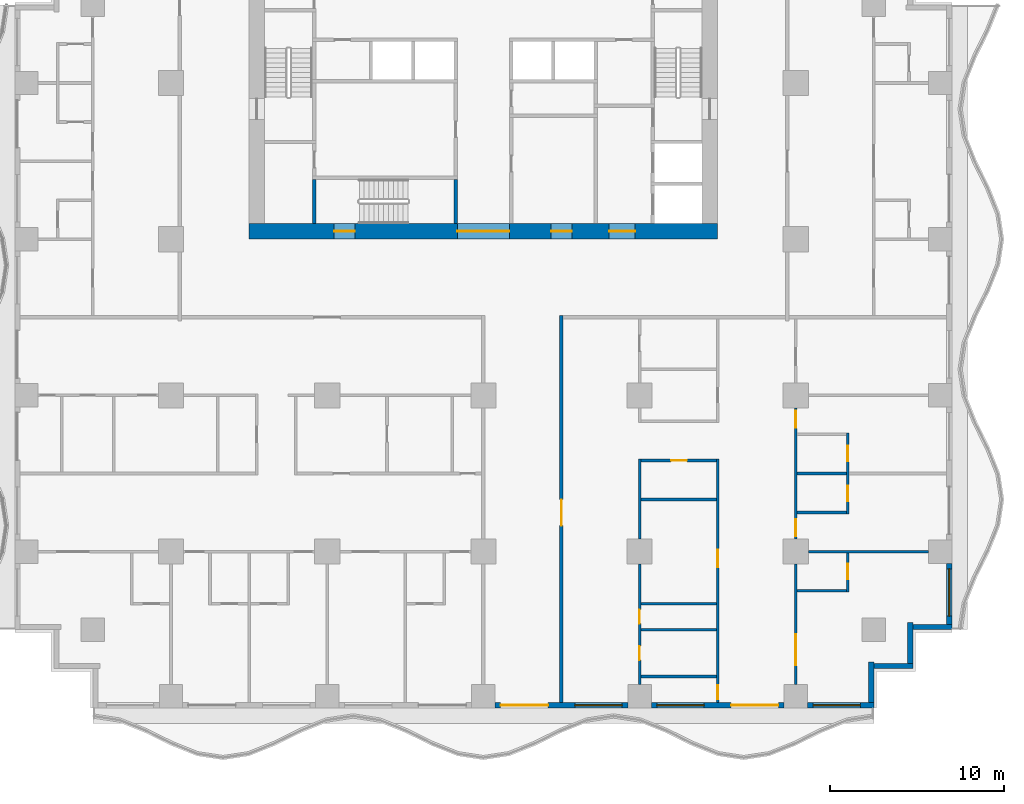
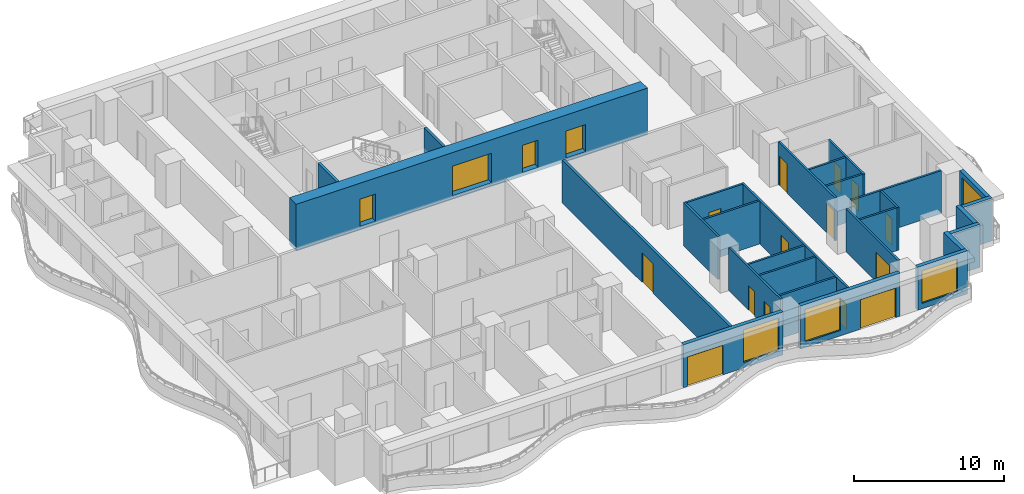
# One storey, part 3 of 13: 28 walls, 18 doors, 4 windows, 22 openings.
"""IFC4 building model written with IfcOpenShell, lengths in metres."""

from ifc_helpers import new_model, si_unit, direction, frame, frame_2d, origin, place, context, subcontext, project, spatial, rectangle, extrude, material, layer, layer_set, type_object, element, fill, save


model = new_model("IFC4")

# Units and contexts
model_context = context("Model", 3, precision=1e-05, world=origin(), true_north=direction((0.0, 1.0)))
body_context = subcontext(model_context, "Body", "Model", "MODEL_VIEW")
ifc_project = project(units=[si_unit("LENGTHUNIT", "METRE"), si_unit("AREAUNIT", "SQUARE_METRE"), si_unit("VOLUMEUNIT", "CUBIC_METRE"), si_unit("PLANEANGLEUNIT", "RADIAN"), si_unit("MASSUNIT", "GRAM", prefix="KILO")], contexts=[model_context])

# Site, building, storey
site_placement = place(None, origin())
site = spatial("IfcSite", under=ifc_project, at=site_placement, CompositionType="ELEMENT")
building_placement = place(site_placement, origin())
building = spatial("IfcBuilding", under=site, at=building_placement, Name="Orbiselva Terraces", CompositionType="ELEMENT")
storey_placement = place(building_placement, frame((0.0, 0.0, 69.4)))
storey = spatial("IfcBuildingStorey", under=building, at=storey_placement, Name="L17", CompositionType="ELEMENT", Elevation=69.4)

# Wall, openings, doors
ifc_material_1 = material(Name="Concrete C80/95", Category="concrete")
ifc_layer_1 = layer(ifc_material_1, 0.9)
ifc_layer_set_1 = layer_set([ifc_layer_1], Name="Concrete C80/95")
wall_type_1 = type_object("IfcWallType", Name="CORE WALL 900", PredefinedType="SHEAR", material=ifc_layer_set_1)
wall_1_placement = place(storey_placement, frame((-13.5, 4.95, -0.3), z_axis=(0.0, 0.0, 1.0), x_axis=(1.0, 0.0, 0.0)))
wall_1 = element("IfcWall", 1, at=wall_1_placement, inside=storey, type_object=wall_type_1, Name="Core wall L17 south", PredefinedType="SHEAR", context=body_context, shape_type="SweptSolid", body=[
    extrude(rectangle(XDim=27.0, YDim=0.9, at=frame_2d((13.5, 0.0))), origin(), (0.0, 0.0, 1.0), 3.8),
])
opening_1_placement = place(wall_1_placement, frame((12.0, 0.0, 0.3)))
opening_1 = element("IfcOpeningElement", 2, at=opening_1_placement, cuts=wall_1, Name="Opening DL3000", PredefinedType="OPENING", context=body_context, shape_type="SweptSolid", body=[
    extrude(rectangle(XDim=3.0, YDim=2.4, at=frame_2d((1.5, 1.2))), frame((0.0, 0.46, 0.0), z_axis=(0.0, -1.0, 0.0), x_axis=(1.0, 0.0, 0.0)), (0.0, 0.0, 1.0), 0.92),
])
opening_2_placement = place(wall_1_placement, frame((4.9, 0.0, 0.3)))
opening_2 = element("IfcOpeningElement", 3, at=opening_2_placement, cuts=wall_1, Name="Opening DS1200", PredefinedType="OPENING", context=body_context, shape_type="SweptSolid", body=[
    extrude(rectangle(XDim=1.2, YDim=2.2, at=frame_2d((0.6, 1.1))), frame((0.0, 0.46, 0.0), z_axis=(0.0, -1.0, 0.0), x_axis=(1.0, 0.0, 0.0)), (0.0, 0.0, 1.0), 0.92),
])
opening_3_placement = place(wall_1_placement, frame((20.75, 0.0, 0.3)))
opening_3 = element("IfcOpeningElement", 4, at=opening_3_placement, cuts=wall_1, Name="Opening DF1500", PredefinedType="OPENING", context=body_context, shape_type="SweptSolid", body=[
    extrude(rectangle(XDim=1.5, YDim=2.2, at=frame_2d((0.75, 1.1))), frame((0.0, 0.46, 0.0), z_axis=(0.0, -1.0, 0.0), x_axis=(1.0, 0.0, 0.0)), (0.0, 0.0, 1.0), 0.92),
])
opening_4_placement = place(wall_1_placement, frame((17.4, 0.0, 0.3)))
opening_4 = element("IfcOpeningElement", 5, at=opening_4_placement, cuts=wall_1, Name="Opening DV1200", PredefinedType="OPENING", context=body_context, shape_type="SweptSolid", body=[
    extrude(rectangle(XDim=1.2, YDim=2.2, at=frame_2d((0.6, 1.1))), frame((0.0, 0.46, 0.0), z_axis=(0.0, -1.0, 0.0), x_axis=(1.0, 0.0, 0.0)), (0.0, 0.0, 1.0), 0.92),
])
ifc_material_2 = material(Name="Steel fire door", Category="steel")
door_type_1 = type_object("IfcDoorType", Name="FFL DOOR 1500", OperationType="DOUBLE_DOOR_SINGLE_SWING", PredefinedType="DOOR", material=ifc_material_2)
door_1_placement = place(opening_3_placement, frame((1.5, 0.0, 0.0), z_axis=(0.0, 0.0, 1.0), x_axis=(-1.0, 0.0, 0.0)))
door_1 = element("IfcDoor", 6, at=door_1_placement, inside=storey, type_object=door_type_1, Name="L17 FIRE-FIGHTING LOBBY door", OperationType="DOUBLE_DOOR_SINGLE_SWING", OverallHeight=2.2, OverallWidth=1.5, PredefinedType="DOOR", context=body_context, shape_type="SweptSolid", body=[
    extrude(rectangle(XDim=1.5, YDim=2.2, at=frame_2d((0.75, 1.1))), frame((0.0, 0.025, 0.0), z_axis=(0.0, -1.0, 0.0), x_axis=(1.0, 0.0, 0.0)), (0.0, 0.0, 1.0), 0.05),
])
fill(opening_3, door_1)
door_type_2 = type_object("IfcDoorType", Name="LOBBY DOOR 3000", OperationType="DOUBLE_DOOR_SINGLE_SWING", PredefinedType="DOOR", material=ifc_material_2)
door_2_placement = place(opening_1_placement, frame((3.0, 0.0, 0.0), z_axis=(0.0, 0.0, 1.0), x_axis=(-1.0, 0.0, 0.0)))
door_2 = element("IfcDoor", 7, at=door_2_placement, inside=storey, type_object=door_type_2, Name="L17 LIFT LOBBY door", OperationType="DOUBLE_DOOR_SINGLE_SWING", OverallHeight=2.4, OverallWidth=3.0, PredefinedType="DOOR", context=body_context, shape_type="SweptSolid", body=[
    extrude(rectangle(XDim=3.0, YDim=2.4, at=frame_2d((1.5, 1.2))), frame((0.0, 0.025, 0.0), z_axis=(0.0, -1.0, 0.0), x_axis=(1.0, 0.0, 0.0)), (0.0, 0.0, 1.0), 0.05),
])
fill(opening_1, door_2)
door_type_3 = type_object("IfcDoorType", Name="SERVICE DOOR 1200", OperationType="NOTDEFINED", PredefinedType="DOOR", material=ifc_material_2)
door_3_placement = place(opening_4_placement, frame((1.2, 0.0, 0.0), z_axis=(0.0, 0.0, 1.0), x_axis=(-1.0, 0.0, 0.0)))
door_3 = element("IfcDoor", 8, at=door_3_placement, inside=storey, type_object=door_type_3, Name="L17 SERVICE ROOM door", OperationType="SINGLE_SWING_RIGHT", OverallHeight=2.2, OverallWidth=1.2, PredefinedType="DOOR", context=body_context, shape_type="SweptSolid", body=[
    extrude(rectangle(XDim=1.2, YDim=2.2, at=frame_2d((0.6, 1.1))), frame((0.0, 0.025, 0.0), z_axis=(0.0, -1.0, 0.0), x_axis=(1.0, 0.0, 0.0)), (0.0, 0.0, 1.0), 0.05),
])
fill(opening_4, door_3)
door_type_4 = type_object("IfcDoorType", Name="STAIR DOOR 1200", OperationType="NOTDEFINED", PredefinedType="DOOR", material=ifc_material_2)
door_4_placement = place(opening_2_placement, frame((1.2, 0.0, 0.0), z_axis=(0.0, 0.0, 1.0), x_axis=(-1.0, 0.0, 0.0)))
door_4 = element("IfcDoor", 9, at=door_4_placement, inside=storey, type_object=door_type_4, Name="L17 EXIT STAIR S3 door", OperationType="SINGLE_SWING_LEFT", OverallHeight=2.2, OverallWidth=1.2, PredefinedType="DOOR", context=body_context, shape_type="SweptSolid", body=[
    extrude(rectangle(XDim=1.2, YDim=2.2, at=frame_2d((0.6, 1.1))), frame((0.0, 0.025, 0.0), z_axis=(0.0, -1.0, 0.0), x_axis=(1.0, 0.0, 0.0)), (0.0, 0.0, 1.0), 0.05),
])
fill(opening_2, door_4)

# Walls
ifc_material_3 = material(Name="Concrete C60/75", Category="concrete")
ifc_layer_2 = layer(ifc_material_3, 0.2)
ifc_layer_set_2 = layer_set([ifc_layer_2], Name="Concrete C60/75")
wall_type_2 = type_object("IfcWallType", Name="CORE-WALL-SHEAR-200", PredefinedType="SHEAR", material=ifc_layer_set_2)
for number, where, z_axis, x_axis, name in (
    (10, (-9.75, 5.4, 0.0), (0.0, 0.0, 1.0), (0.0, 1.0, 0.0), "L17 core wall 03"),
    (11, (-1.6, 5.4, 0.0), (0.0, 0.0, 1.0), (0.0, 1.0, 0.0), "L17 core wall 19"),
):
    element("IfcWall", number, at=place(storey_placement, frame(where, z_axis=z_axis, x_axis=x_axis)), inside=storey, type_object=wall_type_2, Name=name, PredefinedType="SHEAR", context=body_context, shape_type="SweptSolid", body=[
        extrude(rectangle(XDim=2.55, YDim=0.2, at=frame_2d((1.275, 0.0))), origin(), (0.0, 0.0, 1.0), 3.5),
    ])

# Wall, openings, door, window
ifc_material_4 = material(Name="Terracotta cladding on masonry backing", Category="masonry")
ifc_layer_3 = layer(ifc_material_4, 0.3)
ifc_layer_set_3 = layer_set([ifc_layer_3], Name="Terracotta cladding on masonry backing")
wall_type_3 = type_object("IfcWallType", Name="ENV-WALL-TERRACOTTA-300", PredefinedType="SOLIDWALL", material=ifc_layer_set_3)
wall_2_placement = place(storey_placement, frame((8.325, -22.35, 0.0), z_axis=(0.0, 0.0, 1.0), x_axis=(-1.0, 0.0, 0.0)))
wall_2 = element("IfcWall", 12, at=wall_2_placement, inside=storey, type_object=wall_type_3, Name="Facade wall L17 S", PredefinedType="SOLIDWALL", context=body_context, shape_type="SweptSolid", body=[
    extrude(rectangle(XDim=7.65, YDim=0.3, at=frame_2d((3.825, 0.0))), origin(), (0.0, 0.0, 1.0), 3.5),
])
opening_5_placement = place(wall_2_placement, frame((4.6, 0.0, 0.0)))
opening_5 = element("IfcOpeningElement", 13, at=opening_5_placement, cuts=wall_2, Name="Opening Z2-A-E03", PredefinedType="OPENING", context=body_context, shape_type="SweptSolid", body=[
    extrude(rectangle(XDim=2.725, YDim=2.4, at=frame_2d((1.3625, 1.2))), frame((0.0, 0.16, 0.0), z_axis=(0.0, -1.0, 0.0), x_axis=(1.0, 0.0, 0.0)), (0.0, 0.0, 1.0), 0.32),
])
opening_6_placement = place(wall_2_placement, frame((0.325, 0.0, 0.45)))
opening_6 = element("IfcOpeningElement", 14, at=opening_6_placement, cuts=wall_2, Name="Opening WN5", PredefinedType="OPENING", context=body_context, shape_type="SweptSolid", body=[
    extrude(rectangle(XDim=2.725, YDim=2.65, at=frame_2d((1.3625, 1.325))), frame((0.0, 0.16, 0.0), z_axis=(0.0, -1.0, 0.0), x_axis=(1.0, 0.0, 0.0)), (0.0, 0.0, 1.0), 0.32),
])
ifc_material_5 = material(Name="Clear low-e glazing in aluminium frame", Category="aluminium")
door_type_5 = type_object("IfcDoorType", Name="BALCONY DOOR 2725 X 2400", OperationType="DOUBLE_DOOR_SLIDING", PredefinedType="DOOR", material=ifc_material_5)
door_5_placement = place(opening_5_placement, origin())
door_5 = element("IfcDoor", 15, at=door_5_placement, inside=storey, type_object=door_type_5, Name="Z2-A-E03", OperationType="SINGLE_SWING_LEFT", OverallHeight=2.4, OverallWidth=2.725, PredefinedType="DOOR", context=body_context, shape_type="SweptSolid", body=[
    extrude(rectangle(XDim=2.725, YDim=2.4, at=frame_2d((1.3625, 1.2))), frame((0.0, 0.025, 0.0), z_axis=(0.0, -1.0, 0.0), x_axis=(1.0, 0.0, 0.0)), (0.0, 0.0, 1.0), 0.05),
])
fill(opening_5, door_5)
window_type = type_object("IfcWindowType", Name="WINDOW 2725 X 2650 S450", PartitioningType="TRIPLE_PANEL_VERTICAL", PredefinedType="WINDOW", material=ifc_material_5)
window_1_placement = place(opening_6_placement, origin())
window_1 = element("IfcWindow", 16, at=window_1_placement, inside=storey, type_object=window_type, Name="Window L17 S", OverallHeight=2.65, OverallWidth=2.725, PartitioningType="SINGLE_PANEL", PredefinedType="WINDOW", context=body_context, shape_type="SweptSolid", body=[
    extrude(rectangle(XDim=2.725, YDim=2.65, at=frame_2d((1.3625, 1.325))), frame((0.0, 0.03, 0.0), z_axis=(0.0, -1.0, 0.0), x_axis=(1.0, 0.0, 0.0)), (0.0, 0.0, 1.0), 0.06),
])
fill(opening_6, window_1)

wall_3_placement = place(storey_placement, frame((17.325, -22.35, 0.0), z_axis=(0.0, 0.0, 1.0), x_axis=(-1.0, 0.0, 0.0)))
wall_3 = element("IfcWall", 17, at=wall_3_placement, inside=storey, type_object=wall_type_3, Name="Facade wall L17 S", PredefinedType="SOLIDWALL", context=body_context, shape_type="SweptSolid", body=[
    extrude(rectangle(XDim=7.65, YDim=0.3, at=frame_2d((3.825, 0.0))), origin(), (0.0, 0.0, 1.0), 3.5),
])
opening_7_placement = place(wall_3_placement, frame((4.6, 0.0, 0.45)))
opening_7 = element("IfcOpeningElement", 18, at=opening_7_placement, cuts=wall_3, Name="Opening WN5", PredefinedType="OPENING", context=body_context, shape_type="SweptSolid", body=[
    extrude(rectangle(XDim=2.725, YDim=2.65, at=frame_2d((1.3625, 1.325))), frame((0.0, 0.16, 0.0), z_axis=(0.0, -1.0, 0.0), x_axis=(1.0, 0.0, 0.0)), (0.0, 0.0, 1.0), 0.32),
])
opening_8_placement = place(wall_3_placement, frame((0.325, 0.0, 0.0)))
opening_8 = element("IfcOpeningElement", 19, at=opening_8_placement, cuts=wall_3, Name="Opening Z2-A-E04", PredefinedType="OPENING", context=body_context, shape_type="SweptSolid", body=[
    extrude(rectangle(XDim=2.725, YDim=2.4, at=frame_2d((1.3625, 1.2))), frame((0.0, 0.16, 0.0), z_axis=(0.0, -1.0, 0.0), x_axis=(1.0, 0.0, 0.0)), (0.0, 0.0, 1.0), 0.32),
])
door_6_placement = place(opening_8_placement, origin())
door_6 = element("IfcDoor", 20, at=door_6_placement, inside=storey, type_object=door_type_5, Name="Z2-A-E04", OperationType="SINGLE_SWING_LEFT", OverallHeight=2.4, OverallWidth=2.725, PredefinedType="DOOR", context=body_context, shape_type="SweptSolid", body=[
    extrude(rectangle(XDim=2.725, YDim=2.4, at=frame_2d((1.3625, 1.2))), frame((0.0, 0.025, 0.0), z_axis=(0.0, -1.0, 0.0), x_axis=(1.0, 0.0, 0.0)), (0.0, 0.0, 1.0), 0.05),
])
fill(opening_8, door_6)
window_2_placement = place(opening_7_placement, origin())
window_2 = element("IfcWindow", 21, at=window_2_placement, inside=storey, type_object=window_type, Name="Window L17 S", OverallHeight=2.65, OverallWidth=2.725, PartitioningType="SINGLE_PANEL", PredefinedType="WINDOW", context=body_context, shape_type="SweptSolid", body=[
    extrude(rectangle(XDim=2.725, YDim=2.65, at=frame_2d((1.3625, 1.325))), frame((0.0, 0.03, 0.0), z_axis=(0.0, -1.0, 0.0), x_axis=(1.0, 0.0, 0.0)), (0.0, 0.0, 1.0), 0.06),
])
fill(opening_7, window_2)

# Wall, opening, window
wall_4_placement = place(storey_placement, frame((22.5, -22.35, 0.0), z_axis=(0.0, 0.0, 1.0), x_axis=(-1.0, 0.0, 0.0)))
wall_4 = element("IfcWall", 22, at=wall_4_placement, inside=storey, type_object=wall_type_3, Name="Facade wall L17 S", PredefinedType="SOLIDWALL", context=body_context, shape_type="SweptSolid", body=[
    extrude(rectangle(XDim=3.825, YDim=0.3, at=frame_2d((1.9125, 0.0))), origin(), (0.0, 0.0, 1.0), 3.5),
])
opening_9_placement = place(wall_4_placement, frame((0.775, 0.0, 0.45)))
opening_9 = element("IfcOpeningElement", 23, at=opening_9_placement, cuts=wall_4, Name="Opening WN5", PredefinedType="OPENING", context=body_context, shape_type="SweptSolid", body=[
    extrude(rectangle(XDim=2.725, YDim=2.65, at=frame_2d((1.3625, 1.325))), frame((0.0, 0.16, 0.0), z_axis=(0.0, -1.0, 0.0), x_axis=(1.0, 0.0, 0.0)), (0.0, 0.0, 1.0), 0.32),
])
window_3_placement = place(opening_9_placement, origin())
window_3 = element("IfcWindow", 24, at=window_3_placement, inside=storey, type_object=window_type, Name="Window L17 S", OverallHeight=2.65, OverallWidth=2.725, PartitioningType="SINGLE_PANEL", PredefinedType="WINDOW", context=body_context, shape_type="SweptSolid", body=[
    extrude(rectangle(XDim=2.725, YDim=2.65, at=frame_2d((1.3625, 1.325))), frame((0.0, 0.03, 0.0), z_axis=(0.0, -1.0, 0.0), x_axis=(1.0, 0.0, 0.0)), (0.0, 0.0, 1.0), 0.06),
])
fill(opening_9, window_3)

# Walls
wall_5_placement = place(storey_placement, frame((22.35, -19.85, 0.0), z_axis=(0.0, 0.0, 1.0), x_axis=(0.0, -1.0, 0.0)))
element("IfcWall", 25, at=wall_5_placement, inside=storey, type_object=wall_type_3, Name="Facade wall L17 STEP", PredefinedType="SOLIDWALL", context=body_context, shape_type="SweptSolid", body=[
    extrude(rectangle(XDim=2.35, YDim=0.3, at=frame_2d((1.175, 0.0))), origin(), (0.0, 0.0, 1.0), 3.5),
])
wall_6_placement = place(storey_placement, frame((24.75, -20.1, 0.0), z_axis=(0.0, 0.0, 1.0), x_axis=(-1.0, 0.0, 0.0)))
element("IfcWall", 26, at=wall_6_placement, inside=storey, type_object=wall_type_3, Name="Facade wall L17 STEP", PredefinedType="SOLIDWALL", context=body_context, shape_type="SweptSolid", body=[
    extrude(rectangle(XDim=2.25, YDim=0.3, at=frame_2d((1.125, 0.0))), origin(), (0.0, 0.0, 1.0), 3.5),
])
wall_7_placement = place(storey_placement, frame((24.6, -17.6, 0.0), z_axis=(0.0, 0.0, 1.0), x_axis=(0.0, -1.0, 0.0)))
element("IfcWall", 27, at=wall_7_placement, inside=storey, type_object=wall_type_3, Name="Facade wall L17 STEP", PredefinedType="SOLIDWALL", context=body_context, shape_type="SweptSolid", body=[
    extrude(rectangle(XDim=2.35, YDim=0.3, at=frame_2d((1.175, 0.0))), origin(), (0.0, 0.0, 1.0), 3.5),
])
wall_8_placement = place(storey_placement, frame((27.0, -17.85, 0.0), z_axis=(0.0, 0.0, 1.0), x_axis=(-1.0, 0.0, 0.0)))
element("IfcWall", 28, at=wall_8_placement, inside=storey, type_object=wall_type_3, Name="Facade wall L17 STEP", PredefinedType="SOLIDWALL", context=body_context, shape_type="SweptSolid", body=[
    extrude(rectangle(XDim=2.25, YDim=0.3, at=frame_2d((1.125, 0.0))), origin(), (0.0, 0.0, 1.0), 3.5),
])

# Wall, opening, window
wall_9_placement = place(storey_placement, frame((26.85, -14.175, 0.0), z_axis=(0.0, 0.0, 1.0), x_axis=(0.0, -1.0, 0.0)))
wall_9 = element("IfcWall", 29, at=wall_9_placement, inside=storey, type_object=wall_type_3, Name="Facade wall L17 E", PredefinedType="SOLIDWALL", context=body_context, shape_type="SweptSolid", body=[
    extrude(rectangle(XDim=3.525, YDim=0.3, at=frame_2d((1.7625, 0.0))), origin(), (0.0, 0.0, 1.0), 3.5),
])
opening_10_placement = place(wall_9_placement, frame((0.325, 0.0, 0.45)))
opening_10 = element("IfcOpeningElement", 30, at=opening_10_placement, cuts=wall_9, Name="Opening WN5", PredefinedType="OPENING", context=body_context, shape_type="SweptSolid", body=[
    extrude(rectangle(XDim=2.725, YDim=2.65, at=frame_2d((1.3625, 1.325))), frame((0.0, 0.16, 0.0), z_axis=(0.0, -1.0, 0.0), x_axis=(1.0, 0.0, 0.0)), (0.0, 0.0, 1.0), 0.32),
])
window_4_placement = place(opening_10_placement, origin())
window_4 = element("IfcWindow", 31, at=window_4_placement, inside=storey, type_object=window_type, Name="Window L17 E", OverallHeight=2.65, OverallWidth=2.725, PartitioningType="SINGLE_PANEL", PredefinedType="WINDOW", context=body_context, shape_type="SweptSolid", body=[
    extrude(rectangle(XDim=2.725, YDim=2.65, at=frame_2d((1.3625, 1.325))), frame((0.0, 0.03, 0.0), z_axis=(0.0, -1.0, 0.0), x_axis=(1.0, 0.0, 0.0)), (0.0, 0.0, 1.0), 0.06),
])
fill(opening_10, window_4)

# Wall, opening, door
ifc_material_6 = material(Name="Plasterboard on steel stud partition", Category="steel")
ifc_layer_4 = layer(ifc_material_6, 0.2)
ifc_layer_set_4 = layer_set([ifc_layer_4], Name="Plasterboard on steel stud partition")
wall_type_4 = type_object("IfcWallType", Name="UNIT-ENTRANCE-WALL-200", PredefinedType="PARTITIONING", material=ifc_layer_set_4)
wall_10_placement = place(storey_placement, frame((4.5, 0.1, 0.0), z_axis=(0.0, 0.0, 1.0), x_axis=(0.0, -1.0, 0.0)))
wall_10 = element("IfcWall", 32, at=wall_10_placement, inside=storey, type_object=wall_type_4, Name="PARTITION L17-068", PredefinedType="PARTITIONING", context=body_context, shape_type="SweptSolid", body=[
    extrude(rectangle(XDim=22.3, YDim=0.2, at=frame_2d((11.15, 0.0))), origin(), (0.0, 0.0, 1.0), 3.5),
])
opening_11_placement = place(wall_10_placement, frame((10.6, 0.0, 0.0)))
opening_11 = element("IfcOpeningElement", 33, at=opening_11_placement, cuts=wall_10, Name="Opening Z2-A-32", PredefinedType="OPENING", context=body_context, shape_type="SweptSolid", body=[
    extrude(rectangle(XDim=1.5, YDim=2.4, at=frame_2d((0.75, 1.2))), frame((0.0, 0.11, 0.0), z_axis=(0.0, -1.0, 0.0), x_axis=(1.0, 0.0, 0.0)), (0.0, 0.0, 1.0), 0.22),
])
ifc_material_7 = material(Name="Painted timber door leaf", Category="wood")
door_type_6 = type_object("IfcDoorType", Name="ENTRANCE DOUBLE DOOR 1500", OperationType="NOTDEFINED", PredefinedType="DOOR", material=ifc_material_7)
door_7_placement = place(opening_11_placement, origin())
door_7 = element("IfcDoor", 34, at=door_7_placement, inside=storey, type_object=door_type_6, Name="Z2-A-32", OperationType="DOUBLE_DOOR_SINGLE_SWING", OverallHeight=2.4, OverallWidth=1.5, PredefinedType="DOOR", context=body_context, shape_type="SweptSolid", body=[
    extrude(rectangle(XDim=1.5, YDim=2.4, at=frame_2d((0.75, 1.2))), frame((0.0, 0.025, 0.0), z_axis=(0.0, -1.0, 0.0), x_axis=(1.0, 0.0, 0.0)), (0.0, 0.0, 1.0), 0.05),
])
fill(opening_11, door_7)

# Walls
ifc_layer_5 = layer(ifc_material_6, 0.15)
ifc_layer_set_5 = layer_set([ifc_layer_5], Name="Plasterboard on steel stud partition")
wall_type_5 = type_object("IfcWallType", Name="UNIT-PARTITION-150", PredefinedType="PARTITIONING", material=ifc_layer_set_5)
for number, where, z_axis, x_axis, name in (
    (35, (9.075, -20.7, 0.0), (0.0, 0.0, 1.0), (1.0, 0.0, 0.0), "PARTITION L17-001"),
    (36, (9.075, -18.0, 0.0), (0.0, 0.0, 1.0), (1.0, 0.0, 0.0), "PARTITION L17-002"),
    (37, (9.075, -16.5, 0.0), (0.0, 0.0, 1.0), (1.0, 0.0, 0.0), "PARTITION L17-007"),
):
    element("IfcWall", number, at=place(storey_placement, frame(where, z_axis=z_axis, x_axis=x_axis)), inside=storey, type_object=wall_type_5, Name=name, PredefinedType="PARTITIONING", context=body_context, shape_type="SweptSolid", body=[
        extrude(rectangle(XDim=4.35, YDim=0.15, at=frame_2d((2.175, 0.0))), origin(), (0.0, 0.0, 1.0), 3.5),
    ])
wall_11_placement = place(storey_placement, frame((18.075, -15.75, 0.0), z_axis=(0.0, 0.0, 1.0), x_axis=(1.0, 0.0, 0.0)))
element("IfcWall", 38, at=wall_11_placement, inside=storey, type_object=wall_type_5, Name="PARTITION L17-008", PredefinedType="PARTITIONING", context=body_context, shape_type="SweptSolid", body=[
    extrude(rectangle(XDim=2.85, YDim=0.15, at=frame_2d((1.425, 0.0))), origin(), (0.0, 0.0, 1.0), 3.5),
])
wall_12_placement = place(storey_placement, frame((18.725, -13.5, 0.0), z_axis=(0.0, 0.0, 1.0), x_axis=(1.0, 0.0, 0.0)))
element("IfcWall", 39, at=wall_12_placement, inside=storey, type_object=wall_type_5, Name="PARTITION L17-012", PredefinedType="PARTITIONING", context=body_context, shape_type="SweptSolid", body=[
    extrude(rectangle(XDim=6.925, YDim=0.15, at=frame_2d((3.4625, 0.0))), origin(), (0.0, 0.0, 1.0), 3.5),
])
wall_13_placement = place(storey_placement, frame((18.075, -11.25, 0.0), z_axis=(0.0, 0.0, 1.0), x_axis=(1.0, 0.0, 0.0)))
element("IfcWall", 40, at=wall_13_placement, inside=storey, type_object=wall_type_5, Name="PARTITION L17-013", PredefinedType="PARTITIONING", context=body_context, shape_type="SweptSolid", body=[
    extrude(rectangle(XDim=2.85, YDim=0.15, at=frame_2d((1.425, 0.0))), origin(), (0.0, 0.0, 1.0), 3.5),
])
wall_14_placement = place(storey_placement, frame((9.075, -10.5, 0.0), z_axis=(0.0, 0.0, 1.0), x_axis=(1.0, 0.0, 0.0)))
element("IfcWall", 41, at=wall_14_placement, inside=storey, type_object=wall_type_5, Name="PARTITION L17-014", PredefinedType="PARTITIONING", context=body_context, shape_type="SweptSolid", body=[
    extrude(rectangle(XDim=4.35, YDim=0.15, at=frame_2d((2.175, 0.0))), origin(), (0.0, 0.0, 1.0), 3.5),
])
wall_15_placement = place(storey_placement, frame((18.075, -9.0, 0.0), z_axis=(0.0, 0.0, 1.0), x_axis=(1.0, 0.0, 0.0)))
element("IfcWall", 42, at=wall_15_placement, inside=storey, type_object=wall_type_5, Name="PARTITION L17-017", PredefinedType="PARTITIONING", context=body_context, shape_type="SweptSolid", body=[
    extrude(rectangle(XDim=2.85, YDim=0.15, at=frame_2d((1.425, 0.0))), origin(), (0.0, 0.0, 1.0), 3.5),
])

# Wall, opening, door
wall_16_placement = place(storey_placement, frame((13.425, -8.25, 0.0), z_axis=(0.0, 0.0, 1.0), x_axis=(-1.0, 0.0, 0.0)))
wall_16 = element("IfcWall", 43, at=wall_16_placement, inside=storey, type_object=wall_type_5, Name="PARTITION L17-019", PredefinedType="PARTITIONING", context=body_context, shape_type="SweptSolid", body=[
    extrude(rectangle(XDim=4.35, YDim=0.15, at=frame_2d((2.175, 0.0))), origin(), (0.0, 0.0, 1.0), 3.5),
])
opening_12_placement = place(wall_16_placement, frame((1.7, 0.0, 0.0)))
opening_12 = element("IfcOpeningElement", 44, at=opening_12_placement, cuts=wall_16, Name="Opening Z2-A-37", PredefinedType="OPENING", context=body_context, shape_type="SweptSolid", body=[
    extrude(rectangle(XDim=0.9, YDim=2.1, at=frame_2d((0.45, 1.05))), frame((0.0, 0.085, 0.0), z_axis=(0.0, -1.0, 0.0), x_axis=(1.0, 0.0, 0.0)), (0.0, 0.0, 1.0), 0.17),
])
door_type_7 = type_object("IfcDoorType", Name="BATH DOOR 900", OperationType="NOTDEFINED", PredefinedType="DOOR", material=ifc_material_7)
door_8_placement = place(opening_12_placement, origin())
door_8 = element("IfcDoor", 45, at=door_8_placement, inside=storey, type_object=door_type_7, Name="Z2-A-37", OperationType="SINGLE_SWING_LEFT", OverallHeight=2.1, OverallWidth=0.9, PredefinedType="DOOR", context=body_context, shape_type="SweptSolid", body=[
    extrude(rectangle(XDim=0.9, YDim=2.1, at=frame_2d((0.45, 1.05))), frame((0.0, 0.025, 0.0), z_axis=(0.0, -1.0, 0.0), x_axis=(1.0, 0.0, 0.0)), (0.0, 0.0, 1.0), 0.05),
])
fill(opening_12, door_8)

# Wall, openings, doors
wall_17_placement = place(storey_placement, frame((9.0, -14.225, 0.0), z_axis=(0.0, 0.0, 1.0), x_axis=(0.0, -1.0, 0.0)))
wall_17 = element("IfcWall", 46, at=wall_17_placement, inside=storey, type_object=wall_type_5, Name="PARTITION L17-069", PredefinedType="PARTITIONING", context=body_context, shape_type="SweptSolid", body=[
    extrude(rectangle(XDim=6.925, YDim=0.15, at=frame_2d((3.4625, 0.0))), origin(), (0.0, 0.0, 1.0), 3.5),
])
opening_13_placement = place(wall_17_placement, frame((4.725, 0.0, 0.0)))
opening_13 = element("IfcOpeningElement", 47, at=opening_13_placement, cuts=wall_17, Name="Opening Z2-A-34", PredefinedType="OPENING", context=body_context, shape_type="SweptSolid", body=[
    extrude(rectangle(XDim=0.8, YDim=2.0, at=frame_2d((0.4, 1.0))), frame((0.0, 0.085, 0.0), z_axis=(0.0, -1.0, 0.0), x_axis=(1.0, 0.0, 0.0)), (0.0, 0.0, 1.0), 0.17),
])
opening_14_placement = place(wall_17_placement, frame((2.625, 0.0, 0.0)))
opening_14 = element("IfcOpeningElement", 48, at=opening_14_placement, cuts=wall_17, Name="Opening Z2-A-35", PredefinedType="OPENING", context=body_context, shape_type="SweptSolid", body=[
    extrude(rectangle(XDim=0.8, YDim=2.0, at=frame_2d((0.4, 1.0))), frame((0.0, 0.085, 0.0), z_axis=(0.0, -1.0, 0.0), x_axis=(1.0, 0.0, 0.0)), (0.0, 0.0, 1.0), 0.17),
])
door_type_8 = type_object("IfcDoorType", Name="STORE DOOR 800", OperationType="NOTDEFINED", PredefinedType="DOOR", material=ifc_material_7)
door_9_placement = place(opening_13_placement, origin())
door_9 = element("IfcDoor", 49, at=door_9_placement, inside=storey, type_object=door_type_8, Name="Z2-A-34", OperationType="SINGLE_SWING_RIGHT", OverallHeight=2.0, OverallWidth=0.8, PredefinedType="DOOR", context=body_context, shape_type="SweptSolid", body=[
    extrude(rectangle(XDim=0.8, YDim=2.0, at=frame_2d((0.4, 1.0))), frame((0.0, 0.025, 0.0), z_axis=(0.0, -1.0, 0.0), x_axis=(1.0, 0.0, 0.0)), (0.0, 0.0, 1.0), 0.05),
])
fill(opening_13, door_9)
door_10_placement = place(opening_14_placement, origin())
door_10 = element("IfcDoor", 50, at=door_10_placement, inside=storey, type_object=door_type_8, Name="Z2-A-35", OperationType="SINGLE_SWING_LEFT", OverallHeight=2.0, OverallWidth=0.8, PredefinedType="DOOR", context=body_context, shape_type="SweptSolid", body=[
    extrude(rectangle(XDim=0.8, YDim=2.0, at=frame_2d((0.4, 1.0))), frame((0.0, 0.025, 0.0), z_axis=(0.0, -1.0, 0.0), x_axis=(1.0, 0.0, 0.0)), (0.0, 0.0, 1.0), 0.05),
])
fill(opening_14, door_10)

# Wall
wall_18_placement = place(storey_placement, frame((9.0, -12.775, 0.0), z_axis=(0.0, 0.0, 1.0), x_axis=(0.0, 1.0, 0.0)))
element("IfcWall", 51, at=wall_18_placement, inside=storey, type_object=wall_type_5, Name="PARTITION L17-070", PredefinedType="PARTITIONING", context=body_context, shape_type="SweptSolid", body=[
    extrude(rectangle(XDim=4.6, YDim=0.15, at=frame_2d((2.3, 0.0))), origin(), (0.0, 0.0, 1.0), 3.5),
])

# Wall, openings, doors
wall_19_placement = place(storey_placement, frame((13.5, -22.2, 0.0), z_axis=(0.0, 0.0, 1.0), x_axis=(0.0, 1.0, 0.0)))
wall_19 = element("IfcWall", 52, at=wall_19_placement, inside=storey, type_object=wall_type_5, Name="PARTITION L17-073", PredefinedType="PARTITIONING", context=body_context, shape_type="SweptSolid", body=[
    extrude(rectangle(XDim=14.025, YDim=0.15, at=frame_2d((7.0125, 0.0))), origin(), (0.0, 0.0, 1.0), 3.5),
])
opening_15_placement = place(wall_19_placement, frame((0.2, 0.0, 0.0)))
opening_15 = element("IfcOpeningElement", 53, at=opening_15_placement, cuts=wall_19, Name="Opening Z2-A-33", PredefinedType="OPENING", context=body_context, shape_type="SweptSolid", body=[
    extrude(rectangle(XDim=0.8, YDim=2.0, at=frame_2d((0.4, 1.0))), frame((0.0, 0.085, 0.0), z_axis=(0.0, -1.0, 0.0), x_axis=(1.0, 0.0, 0.0)), (0.0, 0.0, 1.0), 0.17),
])
opening_16_placement = place(wall_19_placement, frame((7.8, 0.0, 0.0)))
opening_16 = element("IfcOpeningElement", 54, at=opening_16_placement, cuts=wall_19, Name="Opening Z2-A-36", PredefinedType="OPENING", context=body_context, shape_type="SweptSolid", body=[
    extrude(rectangle(XDim=1.0, YDim=2.4, at=frame_2d((0.5, 1.2))), frame((0.0, 0.085, 0.0), z_axis=(0.0, -1.0, 0.0), x_axis=(1.0, 0.0, 0.0)), (0.0, 0.0, 1.0), 0.17),
])
door_type_9 = type_object("IfcDoorType", Name="ROOM DOOR 1000", OperationType="NOTDEFINED", PredefinedType="DOOR", material=ifc_material_7)
door_11_placement = place(opening_16_placement, origin())
door_11 = element("IfcDoor", 55, at=door_11_placement, inside=storey, type_object=door_type_9, Name="Z2-A-36", OperationType="SINGLE_SWING_RIGHT", OverallHeight=2.4, OverallWidth=1.0, PredefinedType="DOOR", context=body_context, shape_type="SweptSolid", body=[
    extrude(rectangle(XDim=1.0, YDim=2.4, at=frame_2d((0.5, 1.2))), frame((0.0, 0.025, 0.0), z_axis=(0.0, -1.0, 0.0), x_axis=(1.0, 0.0, 0.0)), (0.0, 0.0, 1.0), 0.05),
])
fill(opening_16, door_11)
door_12_placement = place(opening_15_placement, origin())
door_12 = element("IfcDoor", 56, at=door_12_placement, inside=storey, type_object=door_type_8, Name="Z2-A-33", OperationType="SINGLE_SWING_LEFT", OverallHeight=2.0, OverallWidth=0.8, PredefinedType="DOOR", context=body_context, shape_type="SweptSolid", body=[
    extrude(rectangle(XDim=0.8, YDim=2.0, at=frame_2d((0.4, 1.0))), frame((0.0, 0.025, 0.0), z_axis=(0.0, -1.0, 0.0), x_axis=(1.0, 0.0, 0.0)), (0.0, 0.0, 1.0), 0.05),
])
fill(opening_15, door_12)

# Wall, opening, door
wall_20_placement = place(storey_placement, frame((18.0, -14.225, 0.0), z_axis=(0.0, 0.0, 1.0), x_axis=(0.0, -1.0, 0.0)))
wall_20 = element("IfcWall", 57, at=wall_20_placement, inside=storey, type_object=wall_type_5, Name="PARTITION L17-078", PredefinedType="PARTITIONING", context=body_context, shape_type="SweptSolid", body=[
    extrude(rectangle(XDim=6.925, YDim=0.15, at=frame_2d((3.4625, 0.0))), origin(), (0.0, 0.0, 1.0), 3.5),
])
opening_17_placement = place(wall_20_placement, frame((4.025, 0.0, 0.0)))
opening_17 = element("IfcOpeningElement", 58, at=opening_17_placement, cuts=wall_20, Name="Opening Z2-A-40", PredefinedType="OPENING", context=body_context, shape_type="SweptSolid", body=[
    extrude(rectangle(XDim=1.8, YDim=2.4, at=frame_2d((0.9, 1.2))), frame((0.0, 0.085, 0.0), z_axis=(0.0, -1.0, 0.0), x_axis=(1.0, 0.0, 0.0)), (0.0, 0.0, 1.0), 0.17),
])
door_type_10 = type_object("IfcDoorType", Name="DOUBLE DOOR 1800", OperationType="NOTDEFINED", PredefinedType="DOOR", material=ifc_material_7)
door_13_placement = place(opening_17_placement, origin())
door_13 = element("IfcDoor", 59, at=door_13_placement, inside=storey, type_object=door_type_10, Name="Z2-A-40", OperationType="DOUBLE_DOOR_SINGLE_SWING", OverallHeight=2.4, OverallWidth=1.8, PredefinedType="DOOR", context=body_context, shape_type="SweptSolid", body=[
    extrude(rectangle(XDim=1.8, YDim=2.4, at=frame_2d((0.9, 1.2))), frame((0.0, 0.025, 0.0), z_axis=(0.0, -1.0, 0.0), x_axis=(1.0, 0.0, 0.0)), (0.0, 0.0, 1.0), 0.05),
])
fill(opening_17, door_13)

# Wall, openings, doors
wall_21_placement = place(storey_placement, frame((18.0, -5.225, 0.0), z_axis=(0.0, 0.0, 1.0), x_axis=(0.0, -1.0, 0.0)))
wall_21 = element("IfcWall", 60, at=wall_21_placement, inside=storey, type_object=wall_type_5, Name="PARTITION L17-079", PredefinedType="PARTITIONING", context=body_context, shape_type="SweptSolid", body=[
    extrude(rectangle(XDim=7.55, YDim=0.15, at=frame_2d((3.775, 0.0))), origin(), (0.0, 0.0, 1.0), 3.5),
])
opening_18_placement = place(wall_21_placement, frame((6.4, 0.0, 0.0)))
opening_18 = element("IfcOpeningElement", 61, at=opening_18_placement, cuts=wall_21, Name="Opening Z2-A-42", PredefinedType="OPENING", context=body_context, shape_type="SweptSolid", body=[
    extrude(rectangle(XDim=1.0, YDim=2.4, at=frame_2d((0.5, 1.2))), frame((0.0, 0.085, 0.0), z_axis=(0.0, -1.0, 0.0), x_axis=(1.0, 0.0, 0.0)), (0.0, 0.0, 1.0), 0.17),
])
opening_19_placement = place(wall_21_placement, frame((0.15, 0.0, 0.0)))
opening_19 = element("IfcOpeningElement", 62, at=opening_19_placement, cuts=wall_21, Name="Opening Z2-A-44", PredefinedType="OPENING", context=body_context, shape_type="SweptSolid", body=[
    extrude(rectangle(XDim=1.0, YDim=2.4, at=frame_2d((0.5, 1.2))), frame((0.0, 0.085, 0.0), z_axis=(0.0, -1.0, 0.0), x_axis=(1.0, 0.0, 0.0)), (0.0, 0.0, 1.0), 0.17),
])
door_14_placement = place(opening_18_placement, origin())
door_14 = element("IfcDoor", 63, at=door_14_placement, inside=storey, type_object=door_type_9, Name="Z2-A-42", OperationType="SINGLE_SWING_RIGHT", OverallHeight=2.4, OverallWidth=1.0, PredefinedType="DOOR", context=body_context, shape_type="SweptSolid", body=[
    extrude(rectangle(XDim=1.0, YDim=2.4, at=frame_2d((0.5, 1.2))), frame((0.0, 0.025, 0.0), z_axis=(0.0, -1.0, 0.0), x_axis=(1.0, 0.0, 0.0)), (0.0, 0.0, 1.0), 0.05),
])
fill(opening_18, door_14)
door_15_placement = place(opening_19_placement, origin())
door_15 = element("IfcDoor", 64, at=door_15_placement, inside=storey, type_object=door_type_9, Name="Z2-A-44", OperationType="SINGLE_SWING_LEFT", OverallHeight=2.4, OverallWidth=1.0, PredefinedType="DOOR", context=body_context, shape_type="SweptSolid", body=[
    extrude(rectangle(XDim=1.0, YDim=2.4, at=frame_2d((0.5, 1.2))), frame((0.0, 0.025, 0.0), z_axis=(0.0, -1.0, 0.0), x_axis=(1.0, 0.0, 0.0)), (0.0, 0.0, 1.0), 0.05),
])
fill(opening_19, door_15)

# Wall, opening, door
wall_22_placement = place(storey_placement, frame((21.0, -15.825, 0.0), z_axis=(0.0, 0.0, 1.0), x_axis=(0.0, 1.0, 0.0)))
wall_22 = element("IfcWall", 65, at=wall_22_placement, inside=storey, type_object=wall_type_5, Name="PARTITION L17-081", PredefinedType="PARTITIONING", context=body_context, shape_type="SweptSolid", body=[
    extrude(rectangle(XDim=2.25, YDim=0.15, at=frame_2d((1.125, 0.0))), origin(), (0.0, 0.0, 1.0), 3.5),
])
opening_20_placement = place(wall_22_placement, frame((0.725, 0.0, 0.0)))
opening_20 = element("IfcOpeningElement", 66, at=opening_20_placement, cuts=wall_22, Name="Opening Z2-A-41", PredefinedType="OPENING", context=body_context, shape_type="SweptSolid", body=[
    extrude(rectangle(XDim=0.9, YDim=2.1, at=frame_2d((0.45, 1.05))), frame((0.0, 0.085, 0.0), z_axis=(0.0, -1.0, 0.0), x_axis=(1.0, 0.0, 0.0)), (0.0, 0.0, 1.0), 0.17),
])
door_16_placement = place(opening_20_placement, origin())
door_16 = element("IfcDoor", 67, at=door_16_placement, inside=storey, type_object=door_type_7, Name="Z2-A-41", OperationType="SINGLE_SWING_RIGHT", OverallHeight=2.1, OverallWidth=0.9, PredefinedType="DOOR", context=body_context, shape_type="SweptSolid", body=[
    extrude(rectangle(XDim=0.9, YDim=2.1, at=frame_2d((0.45, 1.05))), frame((0.0, 0.025, 0.0), z_axis=(0.0, -1.0, 0.0), x_axis=(1.0, 0.0, 0.0)), (0.0, 0.0, 1.0), 0.05),
])
fill(opening_20, door_16)

# Wall, openings, doors
wall_23_placement = place(storey_placement, frame((21.0, -11.325, 0.0), z_axis=(0.0, 0.0, 1.0), x_axis=(0.0, 1.0, 0.0)))
wall_23 = element("IfcWall", 68, at=wall_23_placement, inside=storey, type_object=wall_type_5, Name="PARTITION L17-082", PredefinedType="PARTITIONING", context=body_context, shape_type="SweptSolid", body=[
    extrude(rectangle(XDim=4.65, YDim=0.15, at=frame_2d((2.325, 0.0))), origin(), (0.0, 0.0, 1.0), 3.5),
])
opening_21_placement = place(wall_23_placement, frame((0.725, 0.0, 0.0)))
opening_21 = element("IfcOpeningElement", 69, at=opening_21_placement, cuts=wall_23, Name="Opening Z2-A-43", PredefinedType="OPENING", context=body_context, shape_type="SweptSolid", body=[
    extrude(rectangle(XDim=0.9, YDim=2.1, at=frame_2d((0.45, 1.05))), frame((0.0, 0.085, 0.0), z_axis=(0.0, -1.0, 0.0), x_axis=(1.0, 0.0, 0.0)), (0.0, 0.0, 1.0), 0.17),
])
opening_22_placement = place(wall_23_placement, frame((3.025, 0.0, 0.0)))
opening_22 = element("IfcOpeningElement", 70, at=opening_22_placement, cuts=wall_23, Name="Opening Z2-A-45", PredefinedType="OPENING", context=body_context, shape_type="SweptSolid", body=[
    extrude(rectangle(XDim=0.9, YDim=2.1, at=frame_2d((0.45, 1.05))), frame((0.0, 0.085, 0.0), z_axis=(0.0, -1.0, 0.0), x_axis=(1.0, 0.0, 0.0)), (0.0, 0.0, 1.0), 0.17),
])
door_17_placement = place(opening_21_placement, origin())
door_17 = element("IfcDoor", 71, at=door_17_placement, inside=storey, type_object=door_type_7, Name="Z2-A-43", OperationType="SINGLE_SWING_LEFT", OverallHeight=2.1, OverallWidth=0.9, PredefinedType="DOOR", context=body_context, shape_type="SweptSolid", body=[
    extrude(rectangle(XDim=0.9, YDim=2.1, at=frame_2d((0.45, 1.05))), frame((0.0, 0.025, 0.0), z_axis=(0.0, -1.0, 0.0), x_axis=(1.0, 0.0, 0.0)), (0.0, 0.0, 1.0), 0.05),
])
fill(opening_21, door_17)
door_18_placement = place(opening_22_placement, origin())
door_18 = element("IfcDoor", 72, at=door_18_placement, inside=storey, type_object=door_type_7, Name="Z2-A-45", OperationType="SINGLE_SWING_RIGHT", OverallHeight=2.1, OverallWidth=0.9, PredefinedType="DOOR", context=body_context, shape_type="SweptSolid", body=[
    extrude(rectangle(XDim=0.9, YDim=2.1, at=frame_2d((0.45, 1.05))), frame((0.0, 0.025, 0.0), z_axis=(0.0, -1.0, 0.0), x_axis=(1.0, 0.0, 0.0)), (0.0, 0.0, 1.0), 0.05),
])
fill(opening_22, door_18)

save(model, "model.ifc")
